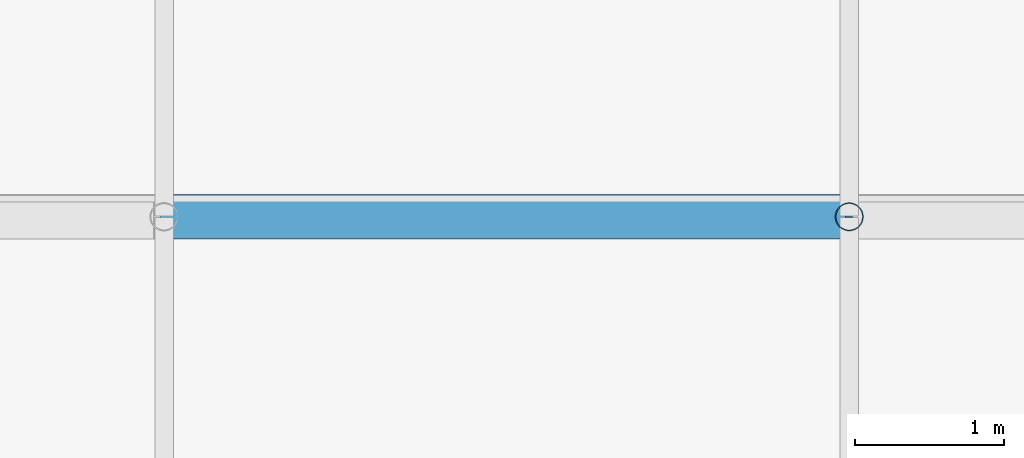
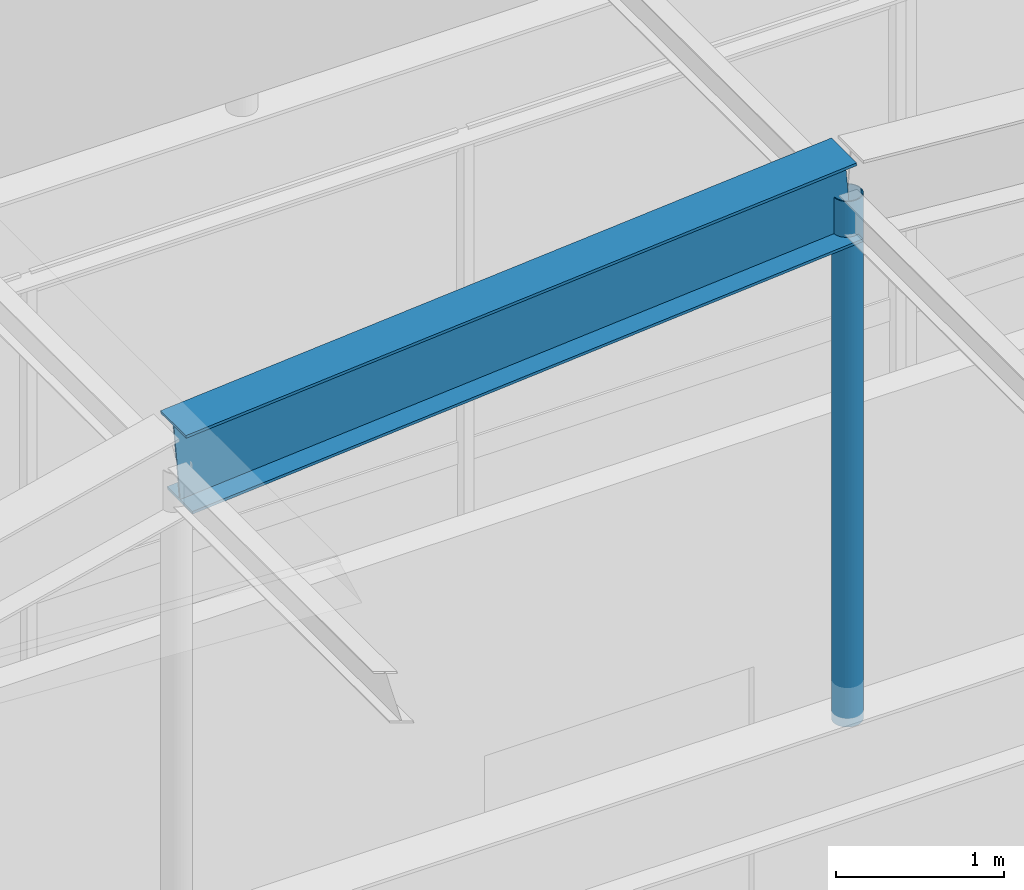
# One storey, part 62 of 106: 2 members.
"""IFC4 building model written with IfcOpenShell, lengths in metres."""

import ifcopenshell
import ifcopenshell.guid

model = None  # the IFC model being written
_history = None  # IfcOwnerHistory: only IFC2X3 demands one
_inside = {}  # id of a spatial element -> (the spatial element, [elements in it])
_under = {}  # id of a project, library or spatial element -> (it, [spatial elements below it])
_declared = {}  # id of a project -> (the project, [libraries it declares])
_typed = {}  # id of a type object -> (the type object, [elements of that type])
_made_of = {}  # id of a material, layer set ... -> (it, [elements and type objects made of it])


def new_model(schema):
    """Start an empty IFC model of exactly this schema.

    Asked for "IFC4X3", IfcOpenShell would pick the latest addendum, in which some entities
    have other attributes; the version numbers below select the first issue.
    IFC2X3 requires an IfcOwnerHistory on every rooted entity: one is made here for all.
    """
    global model, _history
    if schema == "IFC4X3":
        model = ifcopenshell.file(schema_version=(4, 3, 0, 0))
    else:
        model = ifcopenshell.file(schema=schema)
    _inside.clear()
    _under.clear()
    _declared.clear()
    _typed.clear()
    _made_of.clear()
    _history = None
    if model.schema == "IFC2X3":
        org = make("IfcOrganization", Name="unknown")
        user = make(
            "IfcPersonAndOrganization",
            ThePerson=make("IfcPerson", FamilyName="unknown"),
            TheOrganization=org,
        )
        app = make(
            "IfcApplication",
            ApplicationDeveloper=org,
            Version="unknown",
            ApplicationFullName="unknown",
            ApplicationIdentifier="unknown",
        )
        _history = make(
            "IfcOwnerHistory",
            OwningUser=user,
            OwningApplication=app,
            ChangeAction="ADDED",
            CreationDate=0,
        )
    return model


def make(cls, **values):
    """One entity of the class cls with the attributes given. An attribute that is None is left unset."""
    return model.create_entity(
        cls, **{name: value for name, value in values.items() if value is not None}
    )


def rooted(cls, **values):
    """An entity with a GlobalId (a new one), such as an element, a storey or a relation."""
    return make(cls, GlobalId=ifcopenshell.guid.new(), OwnerHistory=_history, **values)


def si_unit(unit_type, name, prefix=None):
    """IfcSIUnit, for example si_unit("LENGTHUNIT", "METRE", prefix="MILLI")."""
    return make("IfcSIUnit", UnitType=unit_type, Prefix=prefix, Name=name)


def assignment(units):
    """IfcUnitAssignment: the units of a project."""
    return None if units is None else make("IfcUnitAssignment", Units=units)


def point(xyz):
    """IfcCartesianPoint."""
    return None if xyz is None else make("IfcCartesianPoint", Coordinates=xyz)


def direction(xyz):
    """IfcDirection."""
    return None if xyz is None else make("IfcDirection", DirectionRatios=xyz)


def frame(location, z_axis=None, x_axis=None):
    """IfcAxis2Placement3D, a coordinate frame: its origin and axes. An axis left out is left unset."""
    return make(
        "IfcAxis2Placement3D",
        Location=point(location),
        Axis=direction(z_axis),
        RefDirection=direction(x_axis),
    )


def frame_2d(location, x_axis=None):
    """IfcAxis2Placement2D, a coordinate frame in the plane: its origin and x axis."""
    return make(
        "IfcAxis2Placement2D", Location=point(location), RefDirection=direction(x_axis)
    )


def origin():
    """The frame at (0, 0, 0) with its axes left unset."""
    return frame((0.0, 0.0, 0.0))


def origin_2d():
    """The frame at (0, 0) in the plane with its x axis left unset."""
    return frame_2d((0.0, 0.0))


def place(relative_to, where):
    """IfcLocalPlacement: puts the frame where relative to a parent placement (None: the world)."""
    return make(
        "IfcLocalPlacement", PlacementRelTo=relative_to, RelativePlacement=where
    )


def context(
    kind, dimensions, precision=None, world=None, true_north=None, identifier=None
):
    """IfcGeometricRepresentationContext, for example the 3D "Model" context."""
    return make(
        "IfcGeometricRepresentationContext",
        ContextIdentifier=identifier,
        ContextType=kind,
        CoordinateSpaceDimension=dimensions,
        Precision=precision,
        WorldCoordinateSystem=world,
        TrueNorth=true_north,
    )


def subcontext(parent, identifier, kind, view, scale=None):
    """IfcGeometricRepresentationSubContext, for example "Body" below "Model"."""
    return make(
        "IfcGeometricRepresentationSubContext",
        ContextIdentifier=identifier,
        ContextType=kind,
        ParentContext=parent,
        TargetScale=scale,
        TargetView=view,
    )


def project(units=None, contexts=None):
    """IfcProject with its units and contexts."""
    return rooted(
        "IfcProject",
        Name="project",
        RepresentationContexts=contexts,
        UnitsInContext=assignment(units),
    )


def spatial(cls, under=None, at=None, **own):
    """A site, building, storey or space (cls), placed at a placement, below another one or the project."""
    s = rooted(cls, ObjectPlacement=at, **own)
    if under is not None:
        _under.setdefault(under.id(), (under, []))[1].append(s)
    return s


def profile(cls, at=None, kind="AREA", **sizes):
    """A parametric profile (cls). Its sizes go by their IFC names, for example OverallWidth=200.0."""
    return make(cls, ProfileType=kind, Position=at, **sizes)


def hollow_circle(**sizes):
    """IfcCircleHollowProfileDef."""
    return profile("IfcCircleHollowProfileDef", **sizes)


def i_section(**sizes):
    """IfcIShapeProfileDef."""
    return profile("IfcIShapeProfileDef", **sizes)


def extrude(swept, where, along, depth):
    """IfcExtrudedAreaSolid: the profile swept, set in the frame where, extruded along a direction by depth."""
    return make(
        "IfcExtrudedAreaSolid",
        SweptArea=swept,
        Position=where,
        ExtrudedDirection=direction(along),
        Depth=depth,
    )


def shape(context_of_items, identifier, shape_type, items):
    """IfcShapeRepresentation: the items that make up one representation, for example the "Body"."""
    return make(
        "IfcShapeRepresentation",
        ContextOfItems=context_of_items,
        RepresentationIdentifier=identifier,
        RepresentationType=shape_type,
        Items=items,
    )


def material(Name=None, Category=None):
    """IfcMaterial."""
    return make("IfcMaterial", Name=Name, Category=Category)


def material_profile(
    of_material, cross_section, Name=None, Category=None, Priority=None
):
    """IfcMaterialProfile: a cross section and its material."""
    return make(
        "IfcMaterialProfile",
        Name=Name,
        Material=of_material,
        Profile=cross_section,
        Priority=Priority,
        Category=Category,
    )


def profile_set(profiles, Name=None, composite=None):
    """IfcMaterialProfileSet."""
    return make(
        "IfcMaterialProfileSet",
        Name=Name,
        MaterialProfiles=profiles,
        CompositeProfile=composite,
    )


def made_of(thing, what):
    """Note that an element or type object is made of a material, layer set ...; save() writes the relation."""
    if what is not None:
        _made_of.setdefault(what.id(), (what, []))[1].append(thing)
    return thing


def type_object(cls, material=None, **own):
    """A type object (cls), such as IfcWallType, which elements share."""
    return made_of(rooted(cls, **own), material)


def element(
    cls,
    number,
    at=None,
    inside=None,
    cuts=None,
    type_object=None,
    material=None,
    context=None,
    identifier="Body",
    shape_type=None,
    held_by="IfcProductDefinitionShape",
    body=None,
    shapes=None,
    **own,
):
    """One element of the class cls, such as IfcWall. Its Tag is "e" and its number.

    at: its placement. inside: the storey or other place that contains it. cuts: it is an
    opening in that element (IfcRelVoidsElement). A single representation is given by context,
    identifier, shape_type and body (its items); several are given by shapes. held_by: the class
    of the entity that holds the representations. save() writes the other relations.
    """
    e = rooted(cls, Tag="e%d" % number, ObjectPlacement=at, **own)
    if body is not None:
        shapes = [shape(context, identifier, shape_type, body)]
    if shapes is not None:
        e.Representation = make(held_by, Representations=shapes)
    if inside is not None:
        _inside.setdefault(inside.id(), (inside, []))[1].append(e)
    if cuts is not None:
        rooted(
            "IfcRelVoidsElement", RelatingBuildingElement=cuts, RelatedOpeningElement=e
        )
    if type_object is not None:
        _typed.setdefault(type_object.id(), (type_object, []))[1].append(e)
    return made_of(e, material)


def aggregate(whole, parts):
    """IfcRelAggregates: a whole, such as a stair, and the parts it consists of."""
    return rooted("IfcRelAggregates", RelatingObject=whole, RelatedObjects=parts)


def save(model, path):
    """Write the relations noted so far, then the file.

    IfcRelAggregates (storeys below a building ...), IfcRelContainedInSpatialStructure (elements
    in a storey), IfcRelDefinesByType, IfcRelAssociatesMaterial and IfcRelDeclares: one each for
    every whole, place, type object, material and project.
    """
    for whole, parts in _under.values():
        aggregate(whole, parts)
    for where, things in _inside.values():
        rooted(
            "IfcRelContainedInSpatialStructure",
            RelatedElements=things,
            RelatingStructure=where,
        )
    for kind, things in _typed.values():
        rooted("IfcRelDefinesByType", RelatedObjects=things, RelatingType=kind)
    for what, things in _made_of.values():
        rooted("IfcRelAssociatesMaterial", RelatedObjects=things, RelatingMaterial=what)
    for by, libraries in _declared.values():
        rooted("IfcRelDeclares", RelatingContext=by, RelatedDefinitions=libraries)
    model.write(path)


model = new_model("IFC4")

# Units and contexts
model_context = context("Model", 3, precision=1e-05, world=origin(), true_north=direction((0.0, 1.0)))
body_context = subcontext(model_context, "Body", "Model", "MODEL_VIEW")
ifc_project = project(units=[si_unit("LENGTHUNIT", "METRE"), si_unit("AREAUNIT", "SQUARE_METRE"), si_unit("VOLUMEUNIT", "CUBIC_METRE"), si_unit("PLANEANGLEUNIT", "RADIAN"), si_unit("MASSUNIT", "GRAM", prefix="KILO")], contexts=[model_context])

# Site, building, storey
site_placement = place(None, origin())
site = spatial("IfcSite", under=ifc_project, at=site_placement, CompositionType="ELEMENT")
building_placement = place(site_placement, origin())
building = spatial("IfcBuilding", under=site, at=building_placement, Name="Kazanami Central Library", CompositionType="ELEMENT")
storey_placement = place(building_placement, frame((0.0, 0.0, 12.800048828125)))
storey = spatial("IfcBuildingStorey", under=building, at=storey_placement, Name="L04", CompositionType="ELEMENT", Elevation=12.800048828125)

# Members
ifc_material_1 = material(Name="Steel SN490B (325 MPa)", Category="steel")
ifc_material_profile_1 = material_profile(ifc_material_1, i_section(OverallWidth=0.300048828125, OverallDepth=0.587890625, WebThickness=0.011962890625, FlangeThickness=0.02001953125, at=origin_2d()), Name="H-588x300x12x20")
ifc_profile_set_1 = profile_set([ifc_material_profile_1], Name="Steel SN490B (325 MPa)")
member_type_1 = type_object("IfcMemberType", Name="MEM-AR-01", PredefinedType="CHORD", material=ifc_profile_set_1)
member_1_placement = place(storey_placement, frame((71.895751953125, 86.39990234375, 7.181640625), z_axis=(0.99683088961, 0.0, 0.079549842985), x_axis=(0.0, 1.0, 0.0)))
element("IfcMember", 1, at=member_1_placement, inside=storey, type_object=member_type_1, Name="Barrel Vault Arch Rib AR-01 VAULT-MAIN Grid N Seg 3", PredefinedType="CHORD", context=body_context, shape_type="SweptSolid", body=[
    extrude(i_section(OverallWidth=0.300048828125, OverallDepth=0.587890625, WebThickness=0.011962890625, FlangeThickness=0.02001953125, at=origin_2d()), origin(), (0.0, 0.0, 1.0), 4.618896484375),
])
ifc_material_2 = material(Name="Steel STK490 (315 MPa)", Category="steel")
ifc_material_profile_2 = material_profile(ifc_material_2, hollow_circle(Radius=0.095458984375, WallThickness=0.007080078125, at=origin_2d()), Name="CHS-190.7x7.0")
ifc_profile_set_2 = profile_set([ifc_material_profile_2], Name="Steel STK490 (315 MPa)")
member_type_2 = type_object("IfcMemberType", Name="MEM-VST-190", PredefinedType="STRUT", material=ifc_profile_set_2)
member_2_placement = place(storey_placement, frame((76.5, 86.39990234375, 3.71484375), z_axis=(0.0, 0.0, 1.0), x_axis=(1.0, 0.0, 0.0)))
element("IfcMember", 2, at=member_2_placement, inside=storey, type_object=member_type_2, Name="Barrel Vault Tied-Arch Web Strut VAULT-MAIN Grid N Knuckle 3", PredefinedType="STRUT", context=body_context, shape_type="SweptSolid", body=[
    extrude(hollow_circle(Radius=0.095458984375, WallThickness=0.007080078125, at=origin_2d()), origin(), (0.0, 0.0, 1.0), 3.814208984375),
])

save(model, "model.ifc")
